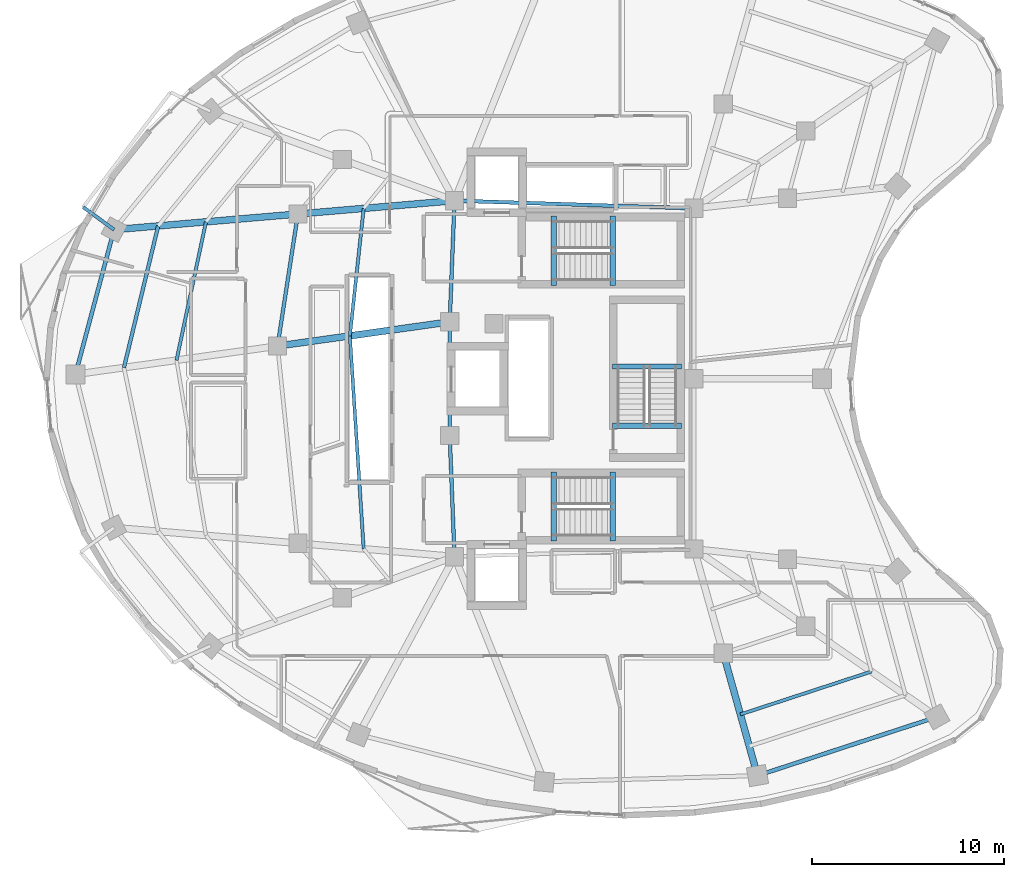
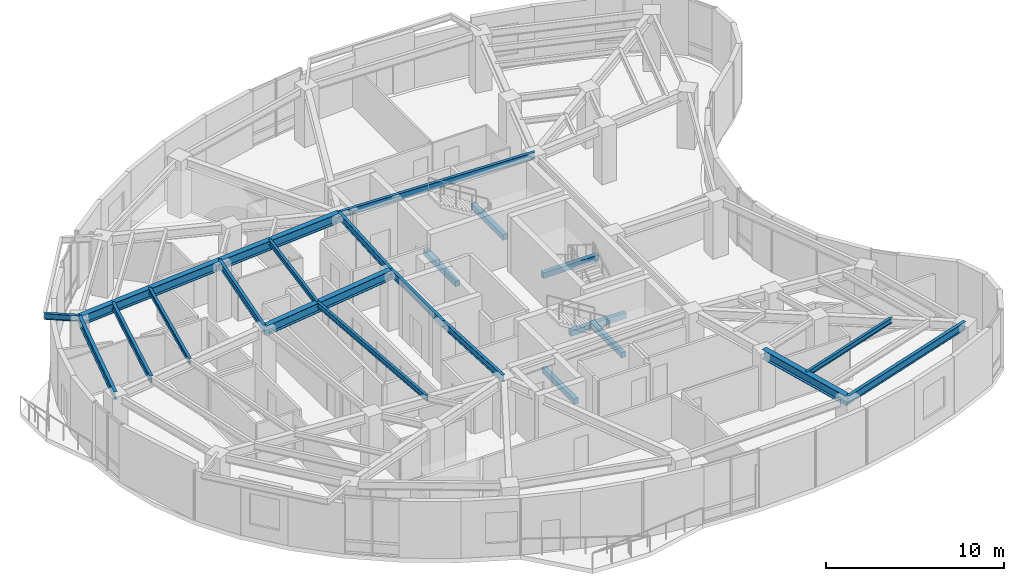
# One storey, part 3 of 14: 23 beams.
"""IFC4 building model written with IfcOpenShell, lengths in metres."""

import ifcopenshell
import ifcopenshell.guid

model = None  # the IFC model being written
_history = None  # IfcOwnerHistory: only IFC2X3 demands one
_inside = {}  # id of a spatial element -> (the spatial element, [elements in it])
_under = {}  # id of a project, library or spatial element -> (it, [spatial elements below it])
_declared = {}  # id of a project -> (the project, [libraries it declares])
_typed = {}  # id of a type object -> (the type object, [elements of that type])
_made_of = {}  # id of a material, layer set ... -> (it, [elements and type objects made of it])


def new_model(schema):
    """Start an empty IFC model of exactly this schema.

    Asked for "IFC4X3", IfcOpenShell would pick the latest addendum, in which some entities
    have other attributes; the version numbers below select the first issue.
    IFC2X3 requires an IfcOwnerHistory on every rooted entity: one is made here for all.
    """
    global model, _history
    if schema == "IFC4X3":
        model = ifcopenshell.file(schema_version=(4, 3, 0, 0))
    else:
        model = ifcopenshell.file(schema=schema)
    _inside.clear()
    _under.clear()
    _declared.clear()
    _typed.clear()
    _made_of.clear()
    _history = None
    if model.schema == "IFC2X3":
        org = make("IfcOrganization", Name="unknown")
        user = make(
            "IfcPersonAndOrganization",
            ThePerson=make("IfcPerson", FamilyName="unknown"),
            TheOrganization=org,
        )
        app = make(
            "IfcApplication",
            ApplicationDeveloper=org,
            Version="unknown",
            ApplicationFullName="unknown",
            ApplicationIdentifier="unknown",
        )
        _history = make(
            "IfcOwnerHistory",
            OwningUser=user,
            OwningApplication=app,
            ChangeAction="ADDED",
            CreationDate=0,
        )
    return model


def make(cls, **values):
    """One entity of the class cls with the attributes given. An attribute that is None is left unset."""
    return model.create_entity(
        cls, **{name: value for name, value in values.items() if value is not None}
    )


def rooted(cls, **values):
    """An entity with a GlobalId (a new one), such as an element, a storey or a relation."""
    return make(cls, GlobalId=ifcopenshell.guid.new(), OwnerHistory=_history, **values)


def si_unit(unit_type, name, prefix=None):
    """IfcSIUnit, for example si_unit("LENGTHUNIT", "METRE", prefix="MILLI")."""
    return make("IfcSIUnit", UnitType=unit_type, Prefix=prefix, Name=name)


def assignment(units):
    """IfcUnitAssignment: the units of a project."""
    return None if units is None else make("IfcUnitAssignment", Units=units)


def point(xyz):
    """IfcCartesianPoint."""
    return None if xyz is None else make("IfcCartesianPoint", Coordinates=xyz)


def direction(xyz):
    """IfcDirection."""
    return None if xyz is None else make("IfcDirection", DirectionRatios=xyz)


def frame(location, z_axis=None, x_axis=None):
    """IfcAxis2Placement3D, a coordinate frame: its origin and axes. An axis left out is left unset."""
    return make(
        "IfcAxis2Placement3D",
        Location=point(location),
        Axis=direction(z_axis),
        RefDirection=direction(x_axis),
    )


def frame_2d(location, x_axis=None):
    """IfcAxis2Placement2D, a coordinate frame in the plane: its origin and x axis."""
    return make(
        "IfcAxis2Placement2D", Location=point(location), RefDirection=direction(x_axis)
    )


def origin():
    """The frame at (0, 0, 0) with its axes left unset."""
    return frame((0.0, 0.0, 0.0))


def origin_2d():
    """The frame at (0, 0) in the plane with its x axis left unset."""
    return frame_2d((0.0, 0.0))


def place(relative_to, where):
    """IfcLocalPlacement: puts the frame where relative to a parent placement (None: the world)."""
    return make(
        "IfcLocalPlacement", PlacementRelTo=relative_to, RelativePlacement=where
    )


def context(
    kind, dimensions, precision=None, world=None, true_north=None, identifier=None
):
    """IfcGeometricRepresentationContext, for example the 3D "Model" context."""
    return make(
        "IfcGeometricRepresentationContext",
        ContextIdentifier=identifier,
        ContextType=kind,
        CoordinateSpaceDimension=dimensions,
        Precision=precision,
        WorldCoordinateSystem=world,
        TrueNorth=true_north,
    )


def subcontext(parent, identifier, kind, view, scale=None):
    """IfcGeometricRepresentationSubContext, for example "Body" below "Model"."""
    return make(
        "IfcGeometricRepresentationSubContext",
        ContextIdentifier=identifier,
        ContextType=kind,
        ParentContext=parent,
        TargetScale=scale,
        TargetView=view,
    )


def project(units=None, contexts=None):
    """IfcProject with its units and contexts."""
    return rooted(
        "IfcProject",
        Name="project",
        RepresentationContexts=contexts,
        UnitsInContext=assignment(units),
    )


def spatial(cls, under=None, at=None, **own):
    """A site, building, storey or space (cls), placed at a placement, below another one or the project."""
    s = rooted(cls, ObjectPlacement=at, **own)
    if under is not None:
        _under.setdefault(under.id(), (under, []))[1].append(s)
    return s


def profile(cls, at=None, kind="AREA", **sizes):
    """A parametric profile (cls). Its sizes go by their IFC names, for example OverallWidth=200.0."""
    return make(cls, ProfileType=kind, Position=at, **sizes)


def rectangle(**sizes):
    """IfcRectangleProfileDef."""
    return profile("IfcRectangleProfileDef", **sizes)


def i_section(**sizes):
    """IfcIShapeProfileDef."""
    return profile("IfcIShapeProfileDef", **sizes)


def extrude(swept, where, along, depth):
    """IfcExtrudedAreaSolid: the profile swept, set in the frame where, extruded along a direction by depth."""
    return make(
        "IfcExtrudedAreaSolid",
        SweptArea=swept,
        Position=where,
        ExtrudedDirection=direction(along),
        Depth=depth,
    )


def shape(context_of_items, identifier, shape_type, items):
    """IfcShapeRepresentation: the items that make up one representation, for example the "Body"."""
    return make(
        "IfcShapeRepresentation",
        ContextOfItems=context_of_items,
        RepresentationIdentifier=identifier,
        RepresentationType=shape_type,
        Items=items,
    )


def material(Name=None, Category=None):
    """IfcMaterial."""
    return make("IfcMaterial", Name=Name, Category=Category)


def material_profile(
    of_material, cross_section, Name=None, Category=None, Priority=None
):
    """IfcMaterialProfile: a cross section and its material."""
    return make(
        "IfcMaterialProfile",
        Name=Name,
        Material=of_material,
        Profile=cross_section,
        Priority=Priority,
        Category=Category,
    )


def profile_set(profiles, Name=None, composite=None):
    """IfcMaterialProfileSet."""
    return make(
        "IfcMaterialProfileSet",
        Name=Name,
        MaterialProfiles=profiles,
        CompositeProfile=composite,
    )


def made_of(thing, what):
    """Note that an element or type object is made of a material, layer set ...; save() writes the relation."""
    if what is not None:
        _made_of.setdefault(what.id(), (what, []))[1].append(thing)
    return thing


def type_object(cls, material=None, **own):
    """A type object (cls), such as IfcWallType, which elements share."""
    return made_of(rooted(cls, **own), material)


def element(
    cls,
    number,
    at=None,
    inside=None,
    cuts=None,
    type_object=None,
    material=None,
    context=None,
    identifier="Body",
    shape_type=None,
    held_by="IfcProductDefinitionShape",
    body=None,
    shapes=None,
    **own,
):
    """One element of the class cls, such as IfcWall. Its Tag is "e" and its number.

    at: its placement. inside: the storey or other place that contains it. cuts: it is an
    opening in that element (IfcRelVoidsElement). A single representation is given by context,
    identifier, shape_type and body (its items); several are given by shapes. held_by: the class
    of the entity that holds the representations. save() writes the other relations.
    """
    e = rooted(cls, Tag="e%d" % number, ObjectPlacement=at, **own)
    if body is not None:
        shapes = [shape(context, identifier, shape_type, body)]
    if shapes is not None:
        e.Representation = make(held_by, Representations=shapes)
    if inside is not None:
        _inside.setdefault(inside.id(), (inside, []))[1].append(e)
    if cuts is not None:
        rooted(
            "IfcRelVoidsElement", RelatingBuildingElement=cuts, RelatedOpeningElement=e
        )
    if type_object is not None:
        _typed.setdefault(type_object.id(), (type_object, []))[1].append(e)
    return made_of(e, material)


def aggregate(whole, parts):
    """IfcRelAggregates: a whole, such as a stair, and the parts it consists of."""
    return rooted("IfcRelAggregates", RelatingObject=whole, RelatedObjects=parts)


def save(model, path):
    """Write the relations noted so far, then the file.

    IfcRelAggregates (storeys below a building ...), IfcRelContainedInSpatialStructure (elements
    in a storey), IfcRelDefinesByType, IfcRelAssociatesMaterial and IfcRelDeclares: one each for
    every whole, place, type object, material and project.
    """
    for whole, parts in _under.values():
        aggregate(whole, parts)
    for where, things in _inside.values():
        rooted(
            "IfcRelContainedInSpatialStructure",
            RelatedElements=things,
            RelatingStructure=where,
        )
    for kind, things in _typed.values():
        rooted("IfcRelDefinesByType", RelatedObjects=things, RelatingType=kind)
    for what, things in _made_of.values():
        rooted("IfcRelAssociatesMaterial", RelatedObjects=things, RelatingMaterial=what)
    for by, libraries in _declared.values():
        rooted("IfcRelDeclares", RelatingContext=by, RelatedDefinitions=libraries)
    model.write(path)


model = new_model("IFC4")

# Units and contexts
model_context = context("Model", 3, precision=1e-05, world=origin(), true_north=direction((0.0, 1.0)))
body_context = subcontext(model_context, "Body", "Model", "MODEL_VIEW")
ifc_project = project(units=[si_unit("LENGTHUNIT", "METRE"), si_unit("AREAUNIT", "SQUARE_METRE"), si_unit("VOLUMEUNIT", "CUBIC_METRE"), si_unit("PLANEANGLEUNIT", "RADIAN"), si_unit("MASSUNIT", "GRAM", prefix="KILO")], contexts=[model_context])

# Site, building, storey
site_placement = place(None, origin())
site = spatial("IfcSite", under=ifc_project, at=site_placement, CompositionType="ELEMENT")
building_placement = place(site_placement, origin())
building = spatial("IfcBuilding", under=site, at=building_placement, Name="Korentha Bioscience Tower", CompositionType="ELEMENT")
storey_placement = place(building_placement, frame((0.0, 0.0, 231.0)))
storey = spatial("IfcBuildingStorey", under=building, at=storey_placement, Name="L53", CompositionType="ELEMENT", Elevation=231.0)

# Beams
ifc_material_1 = material(Name="Concrete C50", Category="concrete")
ifc_material_profile_1 = material_profile(ifc_material_1, rectangle(XDim=0.280029296875, YDim=0.3798828125, at=origin_2d()), Name="Concrete C50")
ifc_profile_set_1 = profile_set([ifc_material_profile_1], Name="Concrete C50 (ST-HB380)")
beam_type_1 = type_object("IfcBeamType", Name="Concrete Stair Header Beam RC 280x380", PredefinedType="BEAM", material=ifc_profile_set_1)
for number, where, z_axis, x_axis, name in (
    (1, (30.25, 31.85009765625, -0.18994140625), (0.0, 1.0, 0.0), (-1.0, 0.0, 0.0), "L53 ST-1 Concrete Stair Header Beam"),
    (2, (33.330078125, 31.85009765625, 1.909912109375), (0.0, 1.0, 0.0), (-1.0, 0.0, 0.0), "L53 ST-1 Half-Landing Header Beam 1"),
    (3, (30.25, 18.550048828125, -0.18994140625), (0.0, 1.0, 0.0), (-1.0, 0.0, 0.0), "L53 ST-2 Concrete Stair Header Beam"),
    (4, (33.330078125, 18.550048828125, 1.909912109375), (0.0, 1.0, 0.0), (-1.0, 0.0, 0.0), "L53 ST-2 Half-Landing Header Beam 1"),
    (5, (36.89990234375, 24.550048828125, -0.18994140625), (-1.0, 0.0, 0.0), (0.0, -1.0, 0.0), "L53 ST-3 Concrete Stair Header Beam"),
    (6, (36.89990234375, 27.6298828125, 1.909912109375), (-1.0, 0.0, 0.0), (0.0, -1.0, 0.0), "L53 ST-3 Half-Landing Header Beam 1"),
):
    element("IfcBeam", number, at=place(storey_placement, frame(where, z_axis=z_axis, x_axis=x_axis)), inside=storey, type_object=beam_type_1, Name=name, PredefinedType="BEAM", context=body_context, shape_type="SweptSolid", body=[
        extrude(rectangle(XDim=0.280029296875, YDim=0.3798828125, at=origin_2d()), origin(), (0.0, 0.0, 1.0), 3.599853515625),
    ])
ifc_material_2 = material(Name="Steel S355", Category="steel")
ifc_material_profile_2 = material_profile(ifc_material_2, i_section(OverallWidth=0.18994140625, OverallDepth=0.45703125, WebThickness=0.009033203125, FlangeThickness=0.014404296875, at=origin_2d()), Name="Steel S355")
ifc_profile_set_2 = profile_set([ifc_material_profile_2], Name="Steel S355 (MB-460)")
beam_type_2 = type_object("IfcBeamType", Name="Mid-Ring Tie Girder W460x74", PredefinedType="BEAM", material=ifc_profile_set_2)
beam_1_placement = place(storey_placement, frame((16.96044921875, 35.555908203125, 3.67138671875), z_axis=(-0.152313520838, -0.988332227224, 0.0), x_axis=(0.988332227224, -0.152313520838, 0.0)))
element("IfcBeam", 7, at=beam_1_placement, inside=storey, type_object=beam_type_2, Name="L53 Mid-Ring Tie Girder 06", PredefinedType="BEAM", context=body_context, shape_type="SweptSolid", body=[
    extrude(i_section(OverallWidth=0.18994140625, OverallDepth=0.45703125, WebThickness=0.009033203125, FlangeThickness=0.014404296875, at=origin_2d()), origin(), (0.0, 0.0, 1.0), 6.942138671875),
])
beam_2_placement = place(storey_placement, frame((37.550048828125, 35.85009765625, 3.67138671875), z_axis=(-0.999484526071, 0.032104238723, 0.0), x_axis=(-0.032104238723, -0.999484526071, 0.0)))
element("IfcBeam", 8, at=beam_2_placement, inside=storey, type_object=beam_type_2, Name="L53 Core Ring Tie Girder 01", PredefinedType="BEAM", context=body_context, shape_type="SweptSolid", body=[
    extrude(i_section(OverallWidth=0.18994140625, OverallDepth=0.45703125, WebThickness=0.009033203125, FlangeThickness=0.014404296875, at=origin_2d()), origin(), (0.0, 0.0, 1.0), 12.456298828125),
])
beam_3_placement = place(storey_placement, frame((25.10009765625, 36.25, 3.67138671875), z_axis=(-0.039651025576, -0.999213588864, 0.0), x_axis=(0.999213588864, -0.039651025576, 0.0)))
element("IfcBeam", 9, at=beam_3_placement, inside=storey, type_object=beam_type_2, Name="L53 Core Ring Tie Girder 02", PredefinedType="BEAM", context=body_context, shape_type="SweptSolid", body=[
    extrude(i_section(OverallWidth=0.18994140625, OverallDepth=0.45703125, WebThickness=0.009033203125, FlangeThickness=0.014404296875, at=origin_2d()), origin(), (0.0, 0.0, 1.0), 6.304931640625),
])
beam_4_placement = place(storey_placement, frame((24.85009765625, 29.949951171875, 3.67138671875), z_axis=(0.0, -1.0, 0.0), x_axis=(1.0, 0.0, 0.0)))
element("IfcBeam", 10, at=beam_4_placement, inside=storey, type_object=beam_type_2, Name="L53 Core Ring Tie Girder 03", PredefinedType="BEAM", context=body_context, shape_type="SweptSolid", body=[
    extrude(i_section(OverallWidth=0.18994140625, OverallDepth=0.45703125, WebThickness=0.009033203125, FlangeThickness=0.014404296875, at=origin_2d()), origin(), (0.0, 0.0, 1.0), 5.89990234375),
])
beam_5_placement = place(storey_placement, frame((24.85009765625, 24.050048828125, 3.67138671875), z_axis=(0.039651025576, -0.999213588864, 0.0), x_axis=(0.999213588864, 0.039651025576, 0.0)))
element("IfcBeam", 11, at=beam_5_placement, inside=storey, type_object=beam_type_2, Name="L53 Core Ring Tie Girder 04", PredefinedType="BEAM", context=body_context, shape_type="SweptSolid", body=[
    extrude(i_section(OverallWidth=0.18994140625, OverallDepth=0.45703125, WebThickness=0.009033203125, FlangeThickness=0.014404296875, at=origin_2d()), origin(), (0.0, 0.0, 1.0), 6.304931640625),
])
ifc_material_profile_3 = material_profile(ifc_material_2, i_section(OverallWidth=0.208984375, OverallDepth=0.532958984375, WebThickness=0.01025390625, FlangeThickness=0.015625, at=origin_2d()), Name="Steel S355")
ifc_profile_set_3 = profile_set([ifc_material_profile_3], Name="Steel S355 (SB-530)")
beam_type_3 = type_object("IfcBeamType", Name="Perimeter Ring Spandrel Girder W530x92", PredefinedType="SPANDREL", material=ifc_profile_set_3)
beam_6_placement = place(storey_placement, frame((7.4052734375, 34.741455078125, 3.633544921875), z_axis=(-0.257674365533, -0.966231815532, 0.0), x_axis=(0.966231815532, -0.257674365533, 0.0)))
element("IfcBeam", 12, at=beam_6_placement, inside=storey, type_object=beam_type_3, Name="L53 Perimeter Spandrel Girder 06", PredefinedType="SPANDREL", context=body_context, shape_type="SweptSolid", body=[
    extrude(i_section(OverallWidth=0.208984375, OverallDepth=0.532958984375, WebThickness=0.01025390625, FlangeThickness=0.015625, at=origin_2d()), origin(), (0.0, 0.0, 1.0), 7.782470703125),
])
beam_7_placement = place(storey_placement, frame((40.846923828125, 6.367919921875, 3.633544921875), z_axis=(0.950449256032, 0.310879738338, 0.0), x_axis=(-0.310879738338, 0.950449256032, 0.0)))
element("IfcBeam", 13, at=beam_7_placement, inside=storey, type_object=beam_type_3, Name="L53 Perimeter Spandrel Girder 12", PredefinedType="SPANDREL", context=body_context, shape_type="SweptSolid", body=[
    extrude(i_section(OverallWidth=0.208984375, OverallDepth=0.532958984375, WebThickness=0.01025390625, FlangeThickness=0.015625, at=origin_2d()), origin(), (0.0, 0.0, 1.0), 9.81494140625),
])
ifc_material_profile_4 = material_profile(ifc_material_2, i_section(OverallWidth=0.18994140625, OverallDepth=0.45703125, WebThickness=0.009033203125, FlangeThickness=0.014404296875, at=origin_2d()), Name="Steel S355")
ifc_profile_set_4 = profile_set([ifc_material_profile_4], Name="Steel S355 (RB-460)")
beam_type_4 = type_object("IfcBeamType", Name="Radial Laboratory Beam W460x74", PredefinedType="BEAM", material=ifc_profile_set_4)
beam_8_placement = place(storey_placement, frame((9.698486328125, 34.93701171875, 3.67138671875), z_axis=(-0.234745571737, -0.972056848415, 0.0), x_axis=(0.972056848415, -0.234745571737, 0.0)))
element("IfcBeam", 14, at=beam_8_placement, inside=storey, type_object=beam_type_4, Name="L53 Secondary Floor Beam JSTO-06", PredefinedType="BEAM", context=body_context, shape_type="SweptSolid", body=[
    extrude(i_section(OverallWidth=0.18994140625, OverallDepth=0.45703125, WebThickness=0.009033203125, FlangeThickness=0.014404296875, at=origin_2d()), origin(), (0.0, 0.0, 1.0), 7.573486328125),
])
ifc_material_profile_5 = material_profile(ifc_material_2, i_section(OverallWidth=0.35009765625, OverallDepth=0.64990234375, WebThickness=0.01611328125, FlangeThickness=0.02490234375, at=origin_2d()), Name="Steel S355")
ifc_profile_set_5 = profile_set([ifc_material_profile_5], Name="Steel S355 (RB-650)")
beam_type_5 = type_object("IfcBeamType", Name="Radial Laboratory Girder CVS 650x208", PredefinedType="BEAM", material=ifc_profile_set_5)
beam_9_placement = place(storey_placement, frame((25.10009765625, 36.25, 3.574951171875), z_axis=(-0.996383970884, -0.084964595957, 0.0), x_axis=(0.084964595957, -0.996383970884, 0.0)))
element("IfcBeam", 15, at=beam_9_placement, inside=storey, type_object=beam_type_5, Name="L53 Inner Radial Girder 06", PredefinedType="BEAM", context=body_context, shape_type="SweptSolid", body=[
    extrude(i_section(OverallWidth=0.35009765625, OverallDepth=0.64990234375, WebThickness=0.01611328125, FlangeThickness=0.02490234375, at=origin_2d()), origin(), (0.0, 0.0, 1.0), 8.169189453125),
])
beam_10_placement = place(storey_placement, frame((16.96044921875, 35.555908203125, 3.574951171875), z_axis=(-0.996387014591, -0.084928894698, 0.0), x_axis=(0.084928894698, -0.996387014591, 0.0)))
element("IfcBeam", 16, at=beam_10_placement, inside=storey, type_object=beam_type_5, Name="L53 Outer Radial Girder 06", PredefinedType="BEAM", context=body_context, shape_type="SweptSolid", body=[
    extrude(i_section(OverallWidth=0.35009765625, OverallDepth=0.64990234375, WebThickness=0.01611328125, FlangeThickness=0.02490234375, at=origin_2d()), origin(), (0.0, 0.0, 1.0), 9.58984375),
])
beam_11_placement = place(storey_placement, frame((24.85009765625, 29.949951171875, 3.574951171875), z_axis=(-0.990303045163, -0.138924003471, 0.0), x_axis=(0.138924003471, -0.990303045163, 0.0)))
element("IfcBeam", 17, at=beam_11_placement, inside=storey, type_object=beam_type_5, Name="L53 Inner Radial Girder 07", PredefinedType="BEAM", context=body_context, shape_type="SweptSolid", body=[
    extrude(i_section(OverallWidth=0.35009765625, OverallDepth=0.64990234375, WebThickness=0.01611328125, FlangeThickness=0.02490234375, at=origin_2d()), origin(), (0.0, 0.0, 1.0), 9.03466796875),
])
beam_12_placement = place(storey_placement, frame((39.066650390625, 12.730224609375, 3.574951171875), z_axis=(0.269465439817, -0.963010060562, 0.0), x_axis=(0.963010060562, 0.269465439817, 0.0)))
element("IfcBeam", 18, at=beam_12_placement, inside=storey, type_object=beam_type_5, Name="L53 Outer Radial Girder 12", PredefinedType="BEAM", context=body_context, shape_type="SweptSolid", body=[
    extrude(i_section(OverallWidth=0.35009765625, OverallDepth=0.64990234375, WebThickness=0.01611328125, FlangeThickness=0.02490234375, at=origin_2d()), origin(), (0.0, 0.0, 1.0), 6.606689453125),
])
ifc_material_profile_6 = material_profile(ifc_material_2, i_section(OverallWidth=0.1708984375, OverallDepth=0.35498046875, WebThickness=0.007080078125, FlangeThickness=0.01171875, at=origin_2d()), Name="Steel S355")
ifc_profile_set_6 = profile_set([ifc_material_profile_6], Name="Steel S355 (JB-360)")
beam_type_6 = type_object("IfcBeamType", Name="Secondary Laboratory Joist W360x51", PredefinedType="JOIST", material=ifc_profile_set_6)
beam_13_placement = place(storey_placement, frame((12.182861328125, 35.148681640625, 3.722412109375), z_axis=(-0.208286097384, -0.978067943262, 0.0), x_axis=(0.978067943262, -0.208286097384, 0.0)))
element("IfcBeam", 19, at=beam_13_placement, inside=storey, type_object=beam_type_6, Name="L53 Secondary Floor Beam JST-06", PredefinedType="JOIST", context=body_context, shape_type="SweptSolid", body=[
    extrude(i_section(OverallWidth=0.1708984375, OverallDepth=0.35498046875, WebThickness=0.007080078125, FlangeThickness=0.01171875, at=origin_2d()), origin(), (0.0, 0.0, 1.0), 7.3515625),
])
beam_14_placement = place(storey_placement, frame((20.37890625, 35.847412109375, 3.722412109375), z_axis=(-0.107777397045, -0.99417505133, 0.0), x_axis=(0.99417505133, -0.107777397045, 0.0)))
element("IfcBeam", 20, at=beam_14_placement, inside=storey, type_object=beam_type_6, Name="L53 Inner Bay Joist 06", PredefinedType="JOIST", context=body_context, shape_type="SweptSolid", body=[
    extrude(i_section(OverallWidth=0.1708984375, OverallDepth=0.35498046875, WebThickness=0.007080078125, FlangeThickness=0.01171875, at=origin_2d()), origin(), (0.0, 0.0, 1.0), 6.664306640625),
])
beam_15_placement = place(storey_placement, frame((19.66064453125, 29.221923828125, 3.722412109375), z_axis=(0.064751345522, -0.997901429628, 0.0), x_axis=(0.997901429628, 0.064751345522, 0.0)))
element("IfcBeam", 21, at=beam_15_placement, inside=storey, type_object=beam_type_6, Name="L53 Inner Bay Joist 07", PredefinedType="JOIST", context=body_context, shape_type="SweptSolid", body=[
    extrude(i_section(OverallWidth=0.1708984375, OverallDepth=0.35498046875, WebThickness=0.007080078125, FlangeThickness=0.01171875, at=origin_2d()), origin(), (0.0, 0.0, 1.0), 11.092529296875),
])
beam_16_placement = place(storey_placement, frame((39.956787109375, 9.54931640625, 3.722412109375), z_axis=(0.950453704863, 0.310866136646, 0.0), x_axis=(-0.310866136646, 0.950453704863, 0.0)))
element("IfcBeam", 22, at=beam_16_placement, inside=storey, type_object=beam_type_6, Name="L53 Secondary Floor Beam JST-12", PredefinedType="JOIST", context=body_context, shape_type="SweptSolid", body=[
    extrude(i_section(OverallWidth=0.1708984375, OverallDepth=0.35498046875, WebThickness=0.007080078125, FlangeThickness=0.01171875, at=origin_2d()), origin(), (0.0, 0.0, 1.0), 7.164794921875),
])
ifc_material_profile_7 = material_profile(ifc_material_2, i_section(OverallWidth=0.177978515625, OverallDepth=0.406982421875, WebThickness=0.0078125, FlangeThickness=0.0126953125, at=origin_2d()), Name="Steel S355")
ifc_profile_set_7 = profile_set([ifc_material_profile_7], Name="Steel S355 (CB-410)")
beam_type_7 = type_object("IfcBeamType", Name="Sun-Ledge Cantilever Beam W410x60", PredefinedType="BEAM", material=ifc_profile_set_7)
beam_17_placement = place(storey_placement, frame((7.4052734375, 34.741455078125, 3.698486328125), z_axis=(-0.807076000511, 0.59044756702, 0.0), x_axis=(-0.59044756702, -0.807076000511, 0.0)))
element("IfcBeam", 23, at=beam_17_placement, inside=storey, type_object=beam_type_7, Name="L53 Balcony Cantilever Bracket B-L54-02", PredefinedType="BEAM", context=body_context, shape_type="SweptSolid", body=[
    extrude(i_section(OverallWidth=0.177978515625, OverallDepth=0.406982421875, WebThickness=0.0078125, FlangeThickness=0.0126953125, at=origin_2d()), origin(), (0.0, 0.0, 1.0), 1.988037109375),
])

save(model, "model.ifc")
